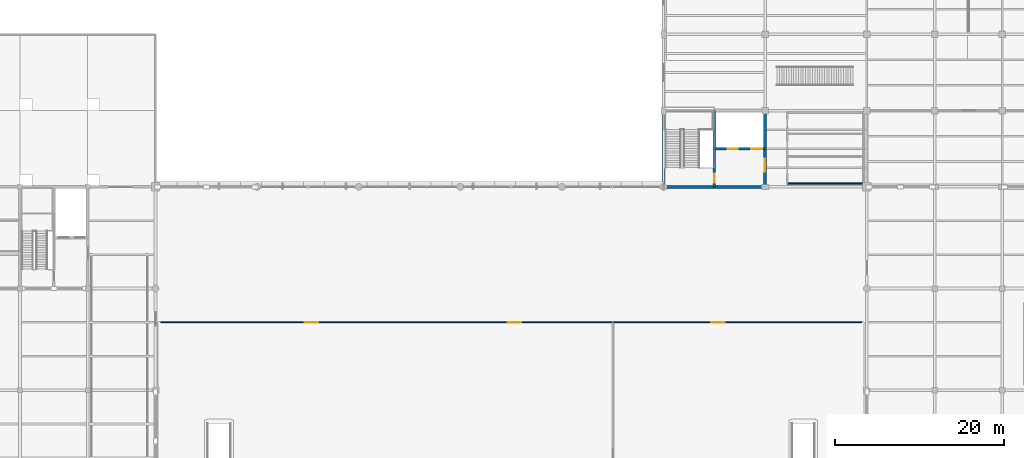
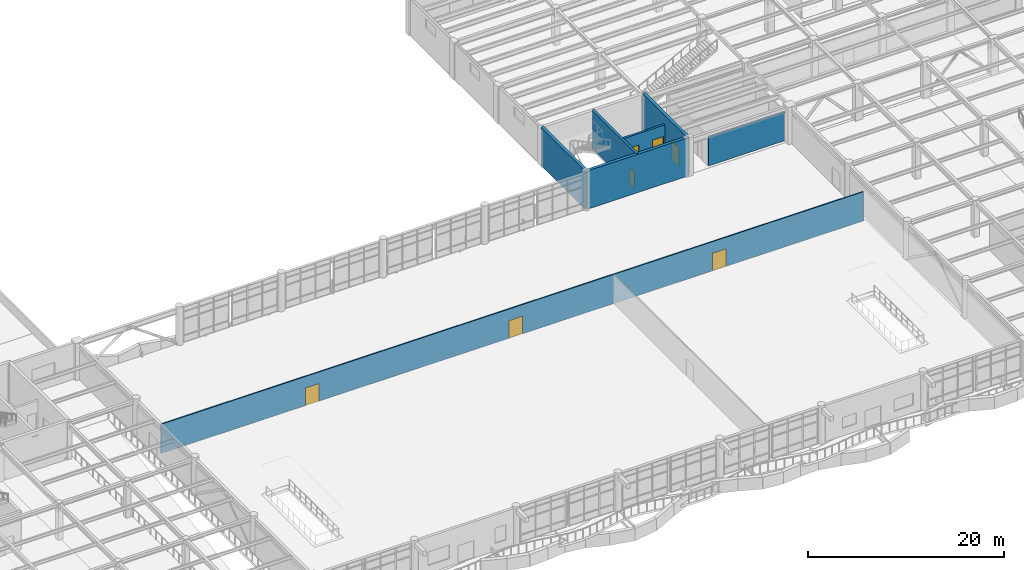
# One storey, part 51 of 72: 7 doors, 7 walls, 7 openings.
"""IFC4 building model written with IfcOpenShell, lengths in metres."""

from ifc_helpers import new_model, si_unit, direction, frame, frame_2d, origin, place, context, subcontext, project, spatial, rectangle, extrude, material, layer, layer_set, type_object, element, fill, save


model = new_model("IFC4")

# Units and contexts
model_context = context("Model", 3, precision=1e-05, world=origin(), true_north=direction((0.0, 1.0)))
body_context = subcontext(model_context, "Body", "Model", "MODEL_VIEW")
ifc_project = project(units=[si_unit("LENGTHUNIT", "METRE"), si_unit("AREAUNIT", "SQUARE_METRE"), si_unit("VOLUMEUNIT", "CUBIC_METRE"), si_unit("PLANEANGLEUNIT", "RADIAN"), si_unit("MASSUNIT", "GRAM", prefix="KILO")], contexts=[model_context])

# Site, building, storey
site_placement = place(None, origin())
site = spatial("IfcSite", under=ifc_project, at=site_placement, CompositionType="ELEMENT")
building_placement = place(site_placement, origin())
building = spatial("IfcBuilding", under=site, at=building_placement, Name="Keelwater Ferry Terminal", CompositionType="ELEMENT")
storey_placement = place(building_placement, frame((0.0, 0.0, 5.39990234375)))
storey = spatial("IfcBuildingStorey", under=building, at=storey_placement, Name="L01", CompositionType="ELEMENT", Elevation=5.39990234375)

# Wall, openings, doors
ifc_material_1 = material(Name="Concrete C40/50", Category="concrete")
ifc_layer_1 = layer(ifc_material_1, 0.25)
ifc_layer_set_1 = layer_set([ifc_layer_1], Name="Concrete C40/50")
wall_type_1 = type_object("IfcWallType", Name="IW-250 Solid Wall 250", PredefinedType="SOLIDWALL", material=ifc_layer_set_1)
wall_1_placement = place(storey_placement, frame((120.0, 94.5, 0.0), z_axis=(0.0, 0.0, 1.0), x_axis=(-1.0, 0.0, 0.0)))
wall_1 = element("IfcWall", 1, at=wall_1_placement, inside=storey, type_object=wall_type_1, Name="Interior Wall WL-INT-L01-0030", PredefinedType="SOLIDWALL", context=body_context, shape_type="SweptSolid", body=[
    extrude(rectangle(XDim=6.0, YDim=0.25, at=frame_2d((3.0, 0.0))), origin(), (0.0, 0.0, 1.0), 3.650146484375),
])
opening_1_placement = place(wall_1_placement, frame((0.35009765625, 0.0, 0.0)))
opening_1 = element("IfcOpeningElement", 2, at=opening_1_placement, cuts=wall_1, Name="Opening LD-009", PredefinedType="OPENING", context=body_context, shape_type="SweptSolid", body=[
    extrude(rectangle(XDim=1.300048828125, YDim=2.25, at=frame_2d((0.64990234375, 1.125))), frame((0.0, 0.135009765625, 0.0), z_axis=(0.0, -1.0, 0.0), x_axis=(1.0, 0.0, 0.0)), (0.0, 0.0, 1.0), 0.27001953125),
])
opening_2_placement = place(wall_1_placement, frame((3.25, 0.0, 0.0)))
opening_2 = element("IfcOpeningElement", 3, at=opening_2_placement, cuts=wall_1, Name="Opening LD-010", PredefinedType="OPENING", context=body_context, shape_type="SweptSolid", body=[
    extrude(rectangle(XDim=1.199951171875, YDim=2.199951171875, at=frame_2d((0.60009765625, 1.10009765625))), frame((0.0, 0.135009765625, 0.0), z_axis=(0.0, -1.0, 0.0), x_axis=(1.0, 0.0, 0.0)), (0.0, 0.0, 1.0), 0.27001953125),
])
ifc_material_2 = material(Name="Stainless steel sliding landing doors", Category="steel")
door_type_1 = type_object("IfcDoorType", Name="LD-T2 Lift Landing Door 1200x2200", OperationType="DOUBLE_DOOR_SLIDING", PredefinedType="USERDEFINED", material=ifc_material_2)
door_1_placement = place(opening_2_placement, origin())
door_1 = element("IfcDoor", 4, at=door_1_placement, inside=storey, type_object=door_type_1, Name="Door LD-010", ObjectType="LANDING DOOR", OperationType="DOUBLE_DOOR_SLIDING", OverallHeight=2.199951171875, OverallWidth=1.199951171875, PredefinedType="USERDEFINED", context=body_context, shape_type="SweptSolid", body=[
    extrude(rectangle(XDim=1.199951171875, YDim=2.199951171875, at=frame_2d((0.60009765625, 1.10009765625))), frame((0.0, 0.02490234375, 0.0), z_axis=(0.0, -1.0, 0.0), x_axis=(1.0, 0.0, 0.0)), (0.0, 0.0, 1.0), 0.050048828125),
])
fill(opening_2, door_1)
ifc_material_3 = material(Name="Stainless steel sliding landing doors", Category="steel")
door_type_2 = type_object("IfcDoorType", Name="LD-T3 Lift Landing Door 1300x2250", OperationType="DOUBLE_DOOR_SLIDING", PredefinedType="USERDEFINED", material=ifc_material_3)
door_2_placement = place(opening_1_placement, origin())
door_2 = element("IfcDoor", 5, at=door_2_placement, inside=storey, type_object=door_type_2, Name="Door LD-009", ObjectType="LANDING DOOR", OperationType="DOUBLE_DOOR_SLIDING", OverallHeight=2.25, OverallWidth=1.300048828125, PredefinedType="USERDEFINED", context=body_context, shape_type="SweptSolid", body=[
    extrude(rectangle(XDim=1.300048828125, YDim=2.25, at=frame_2d((0.64990234375, 1.125))), frame((0.0, 0.02490234375, 0.0), z_axis=(0.0, -1.0, 0.0), x_axis=(1.0, 0.0, 0.0)), (0.0, 0.0, 1.0), 0.050048828125),
])
fill(opening_1, door_2)

ifc_material_4 = material(Name="Gypsum board on acoustic steel stud", Category="steel")
ifc_layer_2 = layer(ifc_material_4, 0.125)
ifc_layer_set_2 = layer_set([ifc_layer_2], Name="Gypsum board on acoustic steel stud")
wall_type_2 = type_object("IfcWallType", Name="PT-125 Partition Wall 125", PredefinedType="PARTITIONING", material=ifc_layer_set_2)
wall_2_placement = place(storey_placement, frame((48.60009765625, 74.0, 0.0), z_axis=(0.0, 0.0, 1.0), x_axis=(1.0, 0.0, 0.0)))
wall_2 = element("IfcWall", 6, at=wall_2_placement, inside=storey, type_object=wall_type_2, Name="Interior Wall WL-INT-L01-0245", PredefinedType="PARTITIONING", context=body_context, shape_type="SweptSolid", body=[
    extrude(rectangle(XDim=82.7998046875, YDim=0.125, at=frame_2d((41.39990234375, 0.0))), origin(), (0.0, 0.0, 1.0), 3.650146484375),
])
opening_3_placement = place(wall_2_placement, frame((17.0, 0.0, 0.0)))
opening_3 = element("IfcOpeningElement", 7, at=opening_3_placement, cuts=wall_2, Name="Opening DR-023", PredefinedType="OPENING", context=body_context, shape_type="SweptSolid", body=[
    extrude(rectangle(XDim=1.60009765625, YDim=2.199951171875, at=frame_2d((0.800048828125, 1.10009765625))), frame((0.0, 0.072509765625, 0.0), z_axis=(0.0, -1.0, 0.0), x_axis=(1.0, 0.0, 0.0)), (0.0, 0.0, 1.0), 0.14501953125),
])
opening_4_placement = place(wall_2_placement, frame((41.0, 0.0, 0.0)))
opening_4 = element("IfcOpeningElement", 8, at=opening_4_placement, cuts=wall_2, Name="Opening DR-024", PredefinedType="OPENING", context=body_context, shape_type="SweptSolid", body=[
    extrude(rectangle(XDim=1.60009765625, YDim=2.199951171875, at=frame_2d((0.800048828125, 1.10009765625))), frame((0.0, 0.072509765625, 0.0), z_axis=(0.0, -1.0, 0.0), x_axis=(1.0, 0.0, 0.0)), (0.0, 0.0, 1.0), 0.14501953125),
])
opening_5_placement = place(wall_2_placement, frame((65.0, 0.0, 0.0)))
opening_5 = element("IfcOpeningElement", 9, at=opening_5_placement, cuts=wall_2, Name="Opening DR-025", PredefinedType="OPENING", context=body_context, shape_type="SweptSolid", body=[
    extrude(rectangle(XDim=1.60009765625, YDim=2.199951171875, at=frame_2d((0.800048828125, 1.10009765625))), frame((0.0, 0.072509765625, 0.0), z_axis=(0.0, -1.0, 0.0), x_axis=(1.0, 0.0, 0.0)), (0.0, 0.0, 1.0), 0.14501953125),
])
ifc_material_5 = material(Name="Acoustic oak and fire-rated steel frame door", Category="steel")
door_type_3 = type_object("IfcDoorType", Name="ID-01 Pedestrian Door 1600x2200", OperationType="DOUBLE_DOOR_SINGLE_SWING", PredefinedType="DOOR", material=ifc_material_5)
door_3_placement = place(opening_3_placement, origin())
door_3 = element("IfcDoor", 10, at=door_3_placement, inside=storey, type_object=door_type_3, Name="Door DR-023", OperationType="DOUBLE_DOOR_SINGLE_SWING", OverallHeight=2.199951171875, OverallWidth=1.60009765625, PredefinedType="DOOR", context=body_context, shape_type="SweptSolid", body=[
    extrude(rectangle(XDim=1.60009765625, YDim=2.199951171875, at=frame_2d((0.800048828125, 1.10009765625))), frame((0.0, 0.02490234375, 0.0), z_axis=(0.0, -1.0, 0.0), x_axis=(1.0, 0.0, 0.0)), (0.0, 0.0, 1.0), 0.050048828125),
])
fill(opening_3, door_3)
door_4_placement = place(opening_4_placement, origin())
door_4 = element("IfcDoor", 11, at=door_4_placement, inside=storey, type_object=door_type_3, Name="Door DR-024", OperationType="DOUBLE_DOOR_SINGLE_SWING", OverallHeight=2.199951171875, OverallWidth=1.60009765625, PredefinedType="DOOR", context=body_context, shape_type="SweptSolid", body=[
    extrude(rectangle(XDim=1.60009765625, YDim=2.199951171875, at=frame_2d((0.800048828125, 1.10009765625))), frame((0.0, 0.02490234375, 0.0), z_axis=(0.0, -1.0, 0.0), x_axis=(1.0, 0.0, 0.0)), (0.0, 0.0, 1.0), 0.050048828125),
])
fill(opening_4, door_4)
door_5_placement = place(opening_5_placement, origin())
door_5 = element("IfcDoor", 12, at=door_5_placement, inside=storey, type_object=door_type_3, Name="Door DR-025", OperationType="DOUBLE_DOOR_SINGLE_SWING", OverallHeight=2.199951171875, OverallWidth=1.60009765625, PredefinedType="DOOR", context=body_context, shape_type="SweptSolid", body=[
    extrude(rectangle(XDim=1.60009765625, YDim=2.199951171875, at=frame_2d((0.800048828125, 1.10009765625))), frame((0.0, 0.02490234375, 0.0), z_axis=(0.0, -1.0, 0.0), x_axis=(1.0, 0.0, 0.0)), (0.0, 0.0, 1.0), 0.050048828125),
])
fill(opening_5, door_5)

# Wall
ifc_material_6 = material(Name="Gypsum board on acoustic steel stud", Category="steel")
ifc_layer_3 = layer(ifc_material_6, 0.14990234375)
ifc_layer_set_3 = layer_set([ifc_layer_3], Name="Gypsum board on acoustic steel stud")
wall_type_3 = type_object("IfcWallType", Name="PT-150 Partition Wall 150", PredefinedType="PARTITIONING", material=ifc_layer_set_3)
wall_3_placement = place(storey_placement, frame((122.60009765625, 90.39990234375, 0.0), z_axis=(0.0, 0.0, 1.0), x_axis=(1.0, 0.0, 0.0)))
element("IfcWall", 13, at=wall_3_placement, inside=storey, type_object=wall_type_3, Name="Interior Wall WL-INT-L01-0175", PredefinedType="PARTITIONING", context=body_context, shape_type="SweptSolid", body=[
    extrude(rectangle(XDim=9.0, YDim=0.14990234375, at=frame_2d((4.5, 0.0))), origin(), (0.0, 0.0, 1.0), 3.650146484375),
])

# Wall, opening, door
ifc_material_7 = material(Name="Concrete C45/55", Category="concrete")
ifc_layer_4 = layer(ifc_material_7, 0.300048828125)
ifc_layer_set_4 = layer_set([ifc_layer_4], Name="Concrete C45/55")
wall_type_4 = type_object("IfcWallType", Name="SW-300 Shear Wall 300", PredefinedType="SHEAR", material=ifc_layer_set_4)
wall_4_placement = place(storey_placement, frame((114.0, 99.0, 0.0), z_axis=(0.0, 0.0, 1.0), x_axis=(0.0, -1.0, 0.0)))
wall_4 = element("IfcWall", 14, at=wall_4_placement, inside=storey, type_object=wall_type_4, Name="Interior Wall WL-INT-L01-0029", PredefinedType="SHEAR", context=body_context, shape_type="SweptSolid", body=[
    extrude(rectangle(XDim=9.0, YDim=0.300048828125, at=frame_2d((4.5, 0.0))), origin(), (0.0, 0.0, 1.0), 4.780029296875),
])
opening_6_placement = place(wall_4_placement, frame((7.449951171875, 0.0, 0.0)))
opening_6 = element("IfcOpeningElement", 15, at=opening_6_placement, cuts=wall_4, Name="Opening FD-009", PredefinedType="OPENING", context=body_context, shape_type="SweptSolid", body=[
    extrude(rectangle(XDim=1.050048828125, YDim=2.14990234375, at=frame_2d((0.52490234375, 1.074951171875))), frame((0.0, 0.159912109375, 0.0), z_axis=(0.0, -1.0, 0.0), x_axis=(1.0, 0.0, 0.0)), (0.0, 0.0, 1.0), 0.320068359375),
])
ifc_material_8 = material(Name="Acoustic oak and fire-rated steel frame door", Category="steel")
door_type_4 = type_object("IfcDoorType", Name="ID-06 Pedestrian Door 1050x2150", OperationType="NOTDEFINED", PredefinedType="DOOR", material=ifc_material_8)
door_6_placement = place(opening_6_placement, origin())
door_6 = element("IfcDoor", 16, at=door_6_placement, inside=storey, type_object=door_type_4, Name="Door FD-009", OperationType="SINGLE_SWING_LEFT", OverallHeight=2.14990234375, OverallWidth=1.050048828125, PredefinedType="DOOR", context=body_context, shape_type="SweptSolid", body=[
    extrude(rectangle(XDim=1.050048828125, YDim=2.14990234375, at=frame_2d((0.52490234375, 1.074951171875))), frame((0.0, 0.02490234375, 0.0), z_axis=(0.0, -1.0, 0.0), x_axis=(1.0, 0.0, 0.0)), (0.0, 0.0, 1.0), 0.050048828125),
])
fill(opening_6, door_6)

# Walls
ifc_material_9 = material(Name="Concrete C45/55", Category="concrete")
ifc_layer_5 = layer(ifc_material_9, 0.35009765625)
ifc_layer_set_5 = layer_set([ifc_layer_5], Name="Concrete C45/55")
wall_type_5 = type_object("IfcWallType", Name="SW-350 Shear Wall 350", PredefinedType="SHEAR", material=ifc_layer_set_5)
wall_5_placement = place(storey_placement, frame((108.0, 90.0, 0.0), z_axis=(0.0, 0.0, 1.0), x_axis=(1.0, 0.0, 0.0)))
element("IfcWall", 17, at=wall_5_placement, inside=storey, type_object=wall_type_5, Name="Interior Wall WL-INT-L01-0025", PredefinedType="SHEAR", context=body_context, shape_type="SweptSolid", body=[
    extrude(rectangle(XDim=12.0, YDim=0.35009765625, at=frame_2d((6.0, 0.0))), origin(), (0.0, 0.0, 1.0), 4.780029296875),
])
wall_6_placement = place(storey_placement, frame((108.0, 90.0, 0.0), z_axis=(0.0, 0.0, 1.0), x_axis=(0.0, 1.0, 0.0)))
element("IfcWall", 18, at=wall_6_placement, inside=storey, type_object=wall_type_5, Name="Interior Wall WL-INT-L01-0027", PredefinedType="SHEAR", context=body_context, shape_type="SweptSolid", body=[
    extrude(rectangle(XDim=9.0, YDim=0.35009765625, at=frame_2d((4.5, 0.0))), origin(), (0.0, 0.0, 1.0), 4.780029296875),
])

# Wall, opening, door
wall_7_placement = place(storey_placement, frame((120.0, 90.0, 0.0), z_axis=(0.0, 0.0, 1.0), x_axis=(0.0, 1.0, 0.0)))
wall_7 = element("IfcWall", 19, at=wall_7_placement, inside=storey, type_object=wall_type_5, Name="Interior Wall WL-INT-L01-0028", PredefinedType="SHEAR", context=body_context, shape_type="SweptSolid", body=[
    extrude(rectangle(XDim=9.0, YDim=0.35009765625, at=frame_2d((4.5, 0.0))), origin(), (0.0, 0.0, 1.0), 4.780029296875),
])
opening_7_placement = place(wall_7_placement, frame((1.800048828125, 0.0, 0.0)))
opening_7 = element("IfcOpeningElement", 20, at=opening_7_placement, cuts=wall_7, Name="Opening FD-010", PredefinedType="OPENING", context=body_context, shape_type="SweptSolid", body=[
    extrude(rectangle(XDim=1.5, YDim=2.199951171875, at=frame_2d((0.75, 1.10009765625))), frame((0.0, 0.18505859375, 0.0), z_axis=(0.0, -1.0, 0.0), x_axis=(1.0, 0.0, 0.0)), (0.0, 0.0, 1.0), 0.3701171875),
])
ifc_material_10 = material(Name="Acoustic oak and fire-rated steel frame door", Category="steel")
door_type_5 = type_object("IfcDoorType", Name="ID-02 Pedestrian Door 1500x2200", OperationType="DOUBLE_DOOR_SINGLE_SWING", PredefinedType="DOOR", material=ifc_material_10)
door_7_placement = place(opening_7_placement, origin())
door_7 = element("IfcDoor", 21, at=door_7_placement, inside=storey, type_object=door_type_5, Name="Door FD-010", OperationType="DOUBLE_DOOR_SINGLE_SWING", OverallHeight=2.199951171875, OverallWidth=1.5, PredefinedType="DOOR", context=body_context, shape_type="SweptSolid", body=[
    extrude(rectangle(XDim=1.5, YDim=2.199951171875, at=frame_2d((0.75, 1.10009765625))), frame((0.0, 0.02490234375, 0.0), z_axis=(0.0, -1.0, 0.0), x_axis=(1.0, 0.0, 0.0)), (0.0, 0.0, 1.0), 0.050048828125),
])
fill(opening_7, door_7)

save(model, "model.ifc")
